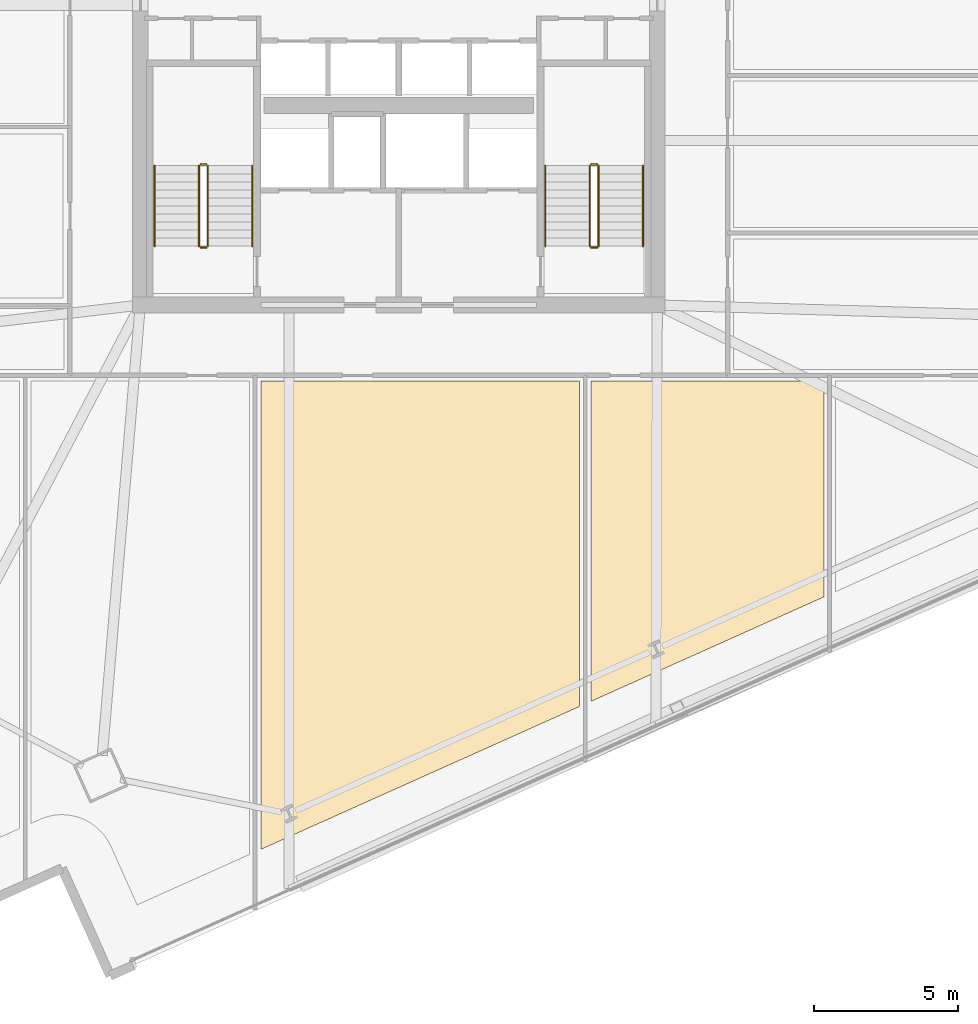
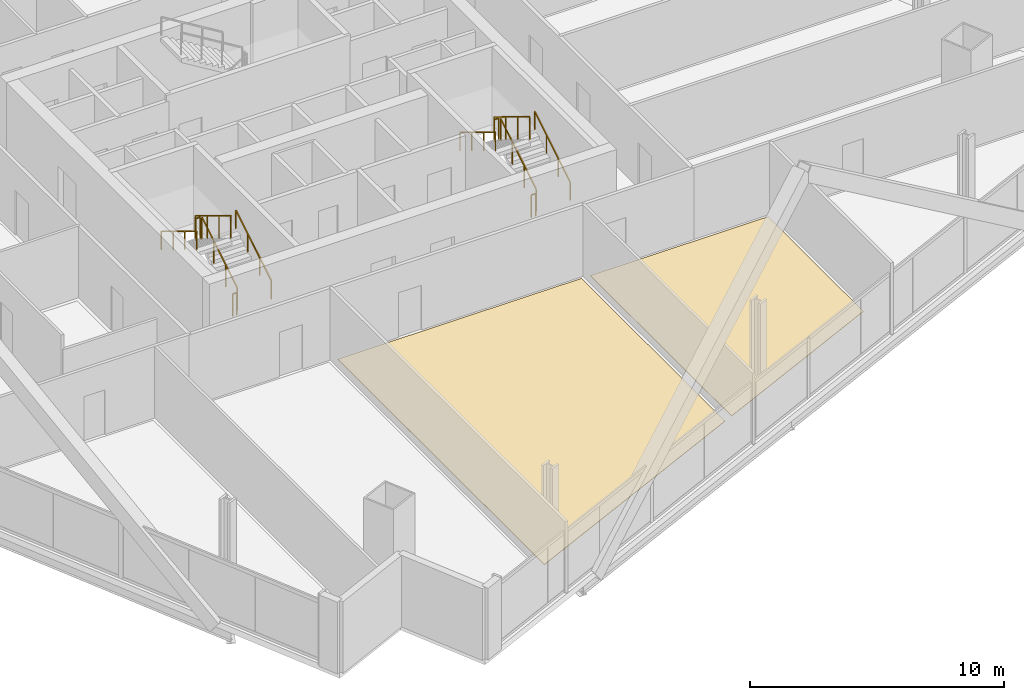
# One storey, part 33 of 38: 12 railings, 2 coverings.
"""IFC4 building model written with IfcOpenShell, lengths in metres."""

from ifc_helpers import new_model, si_unit, direction, frame, origin, origin_2d, place, context, subcontext, project, spatial, polyline, rectangle, outline, extrude, material, layer, layer_set, type_object, element, save


model = new_model("IFC4")

# Units and contexts
model_context = context("Model", 3, precision=1e-05, world=origin(), true_north=direction((0.0, 1.0)))
body_context = subcontext(model_context, "Body", "Model", "MODEL_VIEW")
ifc_project = project(units=[si_unit("LENGTHUNIT", "METRE"), si_unit("AREAUNIT", "SQUARE_METRE"), si_unit("VOLUMEUNIT", "CUBIC_METRE"), si_unit("PLANEANGLEUNIT", "RADIAN"), si_unit("MASSUNIT", "GRAM", prefix="KILO")], contexts=[model_context])

# Site, building, storey
site_placement = place(None, origin())
site = spatial("IfcSite", under=ifc_project, at=site_placement, CompositionType="ELEMENT")
building_placement = place(site_placement, origin())
building = spatial("IfcBuilding", under=site, at=building_placement, Name="Haldenkirk Collegiate Tower", CompositionType="ELEMENT")
storey_placement = place(building_placement, frame((0.0, 0.0, 109.199951171875)))
storey = spatial("IfcBuildingStorey", under=building, at=storey_placement, Name="L26", CompositionType="ELEMENT", Elevation=109.199951171875)

# Coverings
ifc_material_1 = material(Name="Polished collegiate terrazzo", Category="concrete")
ifc_layer_1 = layer(ifc_material_1, 0.02490234375)
ifc_layer_set_1 = layer_set([ifc_layer_1], Name="Polished collegiate terrazzo")
covering_type_1 = type_object("IfcCoveringType", Name="COV-FLOOR-TERRAZZO", PredefinedType="FLOORING", material=ifc_layer_set_1)
covering_1_placement = place(storey_placement, origin())
element("IfcCovering", 1, at=covering_1_placement, inside=storey, type_object=covering_type_1, Name="L26 academic room finish 04", PredefinedType="FLOORING", context=body_context, shape_type="SweptSolid", body=[
    extrude(outline(polyline([(31.199951171875, -0.952880859375), (31.199951171875, 15.35009765625), (42.300048828125, 15.35009765625), (42.300048828125, 4.024169921875), (31.199951171875, -0.952880859375)])), origin(), (0.0, 0.0, 1.0), 0.025146484375),
])
ifc_material_2 = material(Name="Engineered collegiate oak acoustic flooring", Category="wood")
ifc_layer_2 = layer(ifc_material_2, 0.02197265625)
ifc_layer_set_2 = layer_set([ifc_layer_2], Name="Engineered collegiate oak acoustic flooring")
covering_type_2 = type_object("IfcCoveringType", Name="COV-FLOOR-TIMBER", PredefinedType="FLOORING", material=ifc_layer_set_2)
covering_2_placement = place(storey_placement, origin())
element("IfcCovering", 2, at=covering_2_placement, inside=storey, type_object=covering_type_2, Name="L26 academic room finish 05", PredefinedType="FLOORING", context=body_context, shape_type="SweptSolid", body=[
    extrude(outline(polyline([(42.699951171875, 4.203369140625), (42.699951171875, 15.35009765625), (50.800048828125, 15.35009765625), (50.800048828125, 7.835205078125), (42.699951171875, 4.203369140625)])), origin(), (0.0, 0.0, 1.0), 0.02197265625),
])

# Railings
ifc_material_3 = material(Name="Painted architectural tubular steel", Category="steel")
railing_type_1 = type_object("IfcRailingType", Name="RLG-STAIR-GUARD-1100", PredefinedType="BALUSTRADE", material=ifc_material_3)
railing_1_placement = place(storey_placement, frame((29.35009765625, 20.050048828125, 0.17041015625)))
element("IfcRailing", 3, at=railing_1_placement, inside=storey, type_object=railing_type_1, Name="L26 ST-1 stair guard 1", PredefinedType="BALUSTRADE", context=body_context, shape_type="SweptSolid", body=[
    extrude(rectangle(XDim=0.048095703125, YDim=0.048095703125, at=origin_2d()), frame((0.0, 0.0, 1.076171875), z_axis=(0.0, 0.854169791009, 0.51999420009), x_axis=(-1.0, 0.0, 0.0)), (0.0, 0.0, 1.0), 3.278076171875),
    extrude(rectangle(XDim=0.0419921875, YDim=0.0419921875, at=origin_2d()), origin(), (0.0, 0.0, 1.0), 1.052001953125),
    extrude(rectangle(XDim=0.0419921875, YDim=0.0419921875, at=origin_2d()), frame((0.0, 0.933349609375, 0.568115234375)), (0.0, 0.0, 1.0), 1.052001953125),
    extrude(rectangle(XDim=0.0419921875, YDim=0.0419921875, at=origin_2d()), frame((0.0, 1.86669921875, 1.136474609375)), (0.0, 0.0, 1.0), 1.052001953125),
    extrude(rectangle(XDim=0.0419921875, YDim=0.0419921875, at=origin_2d()), frame((0.0, 2.800048828125, 1.70458984375)), (0.0, 0.0, 1.0), 1.052001953125),
])
railing_2_placement = place(storey_placement, frame((29.300048828125, 22.89990234375, 1.875)))
element("IfcRailing", 4, at=railing_2_placement, inside=storey, type_object=railing_type_1, Name="L26 ST-1 stair guard 2", PredefinedType="BALUSTRADE", context=body_context, shape_type="SweptSolid", body=[
    extrude(rectangle(XDim=0.048095703125, YDim=0.048095703125, at=origin_2d()), frame((0.0, 0.0, 1.076171875), z_axis=(-1.0, 0.0, 0.0), x_axis=(0.0, -1.0, 0.0)), (0.0, 0.0, 1.0), 0.199951171875),
    extrude(rectangle(XDim=0.0419921875, YDim=0.0419921875, at=origin_2d()), origin(), (0.0, 0.0, 1.0), 1.052001953125),
    extrude(rectangle(XDim=0.0419921875, YDim=0.0419921875, at=origin_2d()), frame((-0.199951171875, 0.0, 0.0)), (0.0, 0.0, 1.0), 1.052001953125),
])
railing_3_placement = place(storey_placement, frame((29.050048828125, 22.85009765625, 2.04541015625)))
element("IfcRailing", 5, at=railing_3_placement, inside=storey, type_object=railing_type_1, Name="L26 ST-1 stair guard 3", PredefinedType="BALUSTRADE", context=body_context, shape_type="SweptSolid", body=[
    extrude(rectangle(XDim=0.048095703125, YDim=0.048095703125, at=origin_2d()), frame((0.0, 0.0, 1.076171875), z_axis=(0.0, -0.854169791009, 0.51999420009), x_axis=(1.0, 0.0, 0.0)), (0.0, 0.0, 1.0), 3.278076171875),
    extrude(rectangle(XDim=0.0419921875, YDim=0.0419921875, at=origin_2d()), origin(), (0.0, 0.0, 1.0), 1.052001953125),
    extrude(rectangle(XDim=0.0419921875, YDim=0.0419921875, at=origin_2d()), frame((0.0, -0.933349609375, 0.568115234375)), (0.0, 0.0, 1.0), 1.052001953125),
    extrude(rectangle(XDim=0.0419921875, YDim=0.0419921875, at=origin_2d()), frame((0.0, -1.86669921875, 1.136474609375)), (0.0, 0.0, 1.0), 1.052001953125),
    extrude(rectangle(XDim=0.0419921875, YDim=0.0419921875, at=origin_2d()), frame((0.0, -2.800048828125, 1.70458984375)), (0.0, 0.0, 1.0), 1.052001953125),
])
railing_4_placement = place(storey_placement, frame((29.300048828125, 20.0, 0.0)))
element("IfcRailing", 6, at=railing_4_placement, inside=storey, type_object=railing_type_1, Name="L26 ST-1 stair guard 4", PredefinedType="BALUSTRADE", context=body_context, shape_type="SweptSolid", body=[
    extrude(rectangle(XDim=0.048095703125, YDim=0.048095703125, at=origin_2d()), frame((0.0, 0.0, 1.076171875), z_axis=(-1.0, 0.0, 0.0), x_axis=(0.0, -1.0, 0.0)), (0.0, 0.0, 1.0), 0.199951171875),
    extrude(rectangle(XDim=0.0419921875, YDim=0.0419921875, at=origin_2d()), origin(), (0.0, 0.0, 1.0), 1.052001953125),
    extrude(rectangle(XDim=0.0419921875, YDim=0.0419921875, at=origin_2d()), frame((-0.199951171875, 0.0, 0.0)), (0.0, 0.0, 1.0), 1.052001953125),
])
railing_5_placement = place(storey_placement, frame((42.949951171875, 20.050048828125, 0.17041015625)))
element("IfcRailing", 7, at=railing_5_placement, inside=storey, type_object=railing_type_1, Name="L26 ST-2 stair guard 1", PredefinedType="BALUSTRADE", context=body_context, shape_type="SweptSolid", body=[
    extrude(rectangle(XDim=0.048095703125, YDim=0.048095703125, at=origin_2d()), frame((0.0, 0.0, 1.076171875), z_axis=(0.0, 0.854169791009, 0.51999420009), x_axis=(-1.0, 0.0, 0.0)), (0.0, 0.0, 1.0), 3.278076171875),
    extrude(rectangle(XDim=0.0419921875, YDim=0.0419921875, at=origin_2d()), origin(), (0.0, 0.0, 1.0), 1.052001953125),
    extrude(rectangle(XDim=0.0419921875, YDim=0.0419921875, at=origin_2d()), frame((0.0, 0.933349609375, 0.568115234375)), (0.0, 0.0, 1.0), 1.052001953125),
    extrude(rectangle(XDim=0.0419921875, YDim=0.0419921875, at=origin_2d()), frame((0.0, 1.86669921875, 1.136474609375)), (0.0, 0.0, 1.0), 1.052001953125),
    extrude(rectangle(XDim=0.0419921875, YDim=0.0419921875, at=origin_2d()), frame((0.0, 2.800048828125, 1.70458984375)), (0.0, 0.0, 1.0), 1.052001953125),
])
railing_6_placement = place(storey_placement, frame((42.89990234375, 22.89990234375, 1.875)))
element("IfcRailing", 8, at=railing_6_placement, inside=storey, type_object=railing_type_1, Name="L26 ST-2 stair guard 2", PredefinedType="BALUSTRADE", context=body_context, shape_type="SweptSolid", body=[
    extrude(rectangle(XDim=0.048095703125, YDim=0.048095703125, at=origin_2d()), frame((0.0, 0.0, 1.076171875), z_axis=(-1.0, 0.0, 0.0), x_axis=(0.0, -1.0, 0.0)), (0.0, 0.0, 1.0), 0.199951171875),
    extrude(rectangle(XDim=0.0419921875, YDim=0.0419921875, at=origin_2d()), origin(), (0.0, 0.0, 1.0), 1.052001953125),
    extrude(rectangle(XDim=0.0419921875, YDim=0.0419921875, at=origin_2d()), frame((-0.199951171875, 0.0, 0.0)), (0.0, 0.0, 1.0), 1.052001953125),
])
railing_7_placement = place(storey_placement, frame((42.64990234375, 22.85009765625, 2.04541015625)))
element("IfcRailing", 9, at=railing_7_placement, inside=storey, type_object=railing_type_1, Name="L26 ST-2 stair guard 3", PredefinedType="BALUSTRADE", context=body_context, shape_type="SweptSolid", body=[
    extrude(rectangle(XDim=0.048095703125, YDim=0.048095703125, at=origin_2d()), frame((0.0, 0.0, 1.076171875), z_axis=(0.0, -0.854169791009, 0.51999420009), x_axis=(1.0, 0.0, 0.0)), (0.0, 0.0, 1.0), 3.278076171875),
    extrude(rectangle(XDim=0.0419921875, YDim=0.0419921875, at=origin_2d()), origin(), (0.0, 0.0, 1.0), 1.052001953125),
    extrude(rectangle(XDim=0.0419921875, YDim=0.0419921875, at=origin_2d()), frame((0.0, -0.933349609375, 0.568115234375)), (0.0, 0.0, 1.0), 1.052001953125),
    extrude(rectangle(XDim=0.0419921875, YDim=0.0419921875, at=origin_2d()), frame((0.0, -1.86669921875, 1.136474609375)), (0.0, 0.0, 1.0), 1.052001953125),
    extrude(rectangle(XDim=0.0419921875, YDim=0.0419921875, at=origin_2d()), frame((0.0, -2.800048828125, 1.70458984375)), (0.0, 0.0, 1.0), 1.052001953125),
])
railing_8_placement = place(storey_placement, frame((42.89990234375, 20.0, 0.0)))
element("IfcRailing", 10, at=railing_8_placement, inside=storey, type_object=railing_type_1, Name="L26 ST-2 stair guard 4", PredefinedType="BALUSTRADE", context=body_context, shape_type="SweptSolid", body=[
    extrude(rectangle(XDim=0.048095703125, YDim=0.048095703125, at=origin_2d()), frame((0.0, 0.0, 1.076171875), z_axis=(-1.0, 0.0, 0.0), x_axis=(0.0, -1.0, 0.0)), (0.0, 0.0, 1.0), 0.199951171875),
    extrude(rectangle(XDim=0.0419921875, YDim=0.0419921875, at=origin_2d()), origin(), (0.0, 0.0, 1.0), 1.052001953125),
    extrude(rectangle(XDim=0.0419921875, YDim=0.0419921875, at=origin_2d()), frame((-0.199951171875, 0.0, 0.0)), (0.0, 0.0, 1.0), 1.052001953125),
])
railing_type_2 = type_object("IfcRailingType", Name="RLG-STAIR-HANDRAIL-900", PredefinedType="HANDRAIL", material=ifc_material_3)
railing_9_placement = place(storey_placement, frame((30.89990234375, 20.050048828125, 0.17041015625)))
element("IfcRailing", 11, at=railing_9_placement, inside=storey, type_object=railing_type_2, Name="L26 ST-1 stair handrail 1", PredefinedType="HANDRAIL", context=body_context, shape_type="SweptSolid", body=[
    extrude(rectangle(XDim=0.048095703125, YDim=0.048095703125, at=origin_2d()), frame((0.0, 0.0, 0.8759765625), z_axis=(0.0, 0.854169791009, 0.51999420009), x_axis=(-1.0, 0.0, 0.0)), (0.0, 0.0, 1.0), 3.278076171875),
    extrude(rectangle(XDim=0.0419921875, YDim=0.0419921875, at=origin_2d()), origin(), (0.0, 0.0, 1.0), 0.851806640625),
    extrude(rectangle(XDim=0.0419921875, YDim=0.0419921875, at=origin_2d()), frame((0.0, 0.933349609375, 0.568115234375)), (0.0, 0.0, 1.0), 0.851806640625),
    extrude(rectangle(XDim=0.0419921875, YDim=0.0419921875, at=origin_2d()), frame((0.0, 1.86669921875, 1.136474609375)), (0.0, 0.0, 1.0), 0.851806640625),
    extrude(rectangle(XDim=0.0419921875, YDim=0.0419921875, at=origin_2d()), frame((0.0, 2.800048828125, 1.70458984375)), (0.0, 0.0, 1.0), 0.851806640625),
])
railing_10_placement = place(storey_placement, frame((27.5, 22.85009765625, 2.04541015625)))
element("IfcRailing", 12, at=railing_10_placement, inside=storey, type_object=railing_type_2, Name="L26 ST-1 stair handrail 2", PredefinedType="HANDRAIL", context=body_context, shape_type="SweptSolid", body=[
    extrude(rectangle(XDim=0.048095703125, YDim=0.048095703125, at=origin_2d()), frame((0.0, 0.0, 0.8759765625), z_axis=(0.0, -0.854169791009, 0.51999420009), x_axis=(1.0, 0.0, 0.0)), (0.0, 0.0, 1.0), 3.278076171875),
    extrude(rectangle(XDim=0.0419921875, YDim=0.0419921875, at=origin_2d()), origin(), (0.0, 0.0, 1.0), 0.851806640625),
    extrude(rectangle(XDim=0.0419921875, YDim=0.0419921875, at=origin_2d()), frame((0.0, -0.933349609375, 0.568115234375)), (0.0, 0.0, 1.0), 0.851806640625),
    extrude(rectangle(XDim=0.0419921875, YDim=0.0419921875, at=origin_2d()), frame((0.0, -1.86669921875, 1.136474609375)), (0.0, 0.0, 1.0), 0.851806640625),
    extrude(rectangle(XDim=0.0419921875, YDim=0.0419921875, at=origin_2d()), frame((0.0, -2.800048828125, 1.70458984375)), (0.0, 0.0, 1.0), 0.851806640625),
])
railing_11_placement = place(storey_placement, frame((44.5, 20.050048828125, 0.17041015625)))
element("IfcRailing", 13, at=railing_11_placement, inside=storey, type_object=railing_type_2, Name="L26 ST-2 stair handrail 1", PredefinedType="HANDRAIL", context=body_context, shape_type="SweptSolid", body=[
    extrude(rectangle(XDim=0.048095703125, YDim=0.048095703125, at=origin_2d()), frame((0.0, 0.0, 0.8759765625), z_axis=(0.0, 0.854169791009, 0.51999420009), x_axis=(-1.0, 0.0, 0.0)), (0.0, 0.0, 1.0), 3.278076171875),
    extrude(rectangle(XDim=0.0419921875, YDim=0.0419921875, at=origin_2d()), origin(), (0.0, 0.0, 1.0), 0.851806640625),
    extrude(rectangle(XDim=0.0419921875, YDim=0.0419921875, at=origin_2d()), frame((0.0, 0.933349609375, 0.568115234375)), (0.0, 0.0, 1.0), 0.851806640625),
    extrude(rectangle(XDim=0.0419921875, YDim=0.0419921875, at=origin_2d()), frame((0.0, 1.86669921875, 1.136474609375)), (0.0, 0.0, 1.0), 0.851806640625),
    extrude(rectangle(XDim=0.0419921875, YDim=0.0419921875, at=origin_2d()), frame((0.0, 2.800048828125, 1.70458984375)), (0.0, 0.0, 1.0), 0.851806640625),
])
railing_12_placement = place(storey_placement, frame((41.10009765625, 22.85009765625, 2.04541015625)))
element("IfcRailing", 14, at=railing_12_placement, inside=storey, type_object=railing_type_2, Name="L26 ST-2 stair handrail 2", PredefinedType="HANDRAIL", context=body_context, shape_type="SweptSolid", body=[
    extrude(rectangle(XDim=0.048095703125, YDim=0.048095703125, at=origin_2d()), frame((0.0, 0.0, 0.8759765625), z_axis=(0.0, -0.854169791009, 0.51999420009), x_axis=(1.0, 0.0, 0.0)), (0.0, 0.0, 1.0), 3.278076171875),
    extrude(rectangle(XDim=0.0419921875, YDim=0.0419921875, at=origin_2d()), origin(), (0.0, 0.0, 1.0), 0.851806640625),
    extrude(rectangle(XDim=0.0419921875, YDim=0.0419921875, at=origin_2d()), frame((0.0, -0.933349609375, 0.568115234375)), (0.0, 0.0, 1.0), 0.851806640625),
    extrude(rectangle(XDim=0.0419921875, YDim=0.0419921875, at=origin_2d()), frame((0.0, -1.86669921875, 1.136474609375)), (0.0, 0.0, 1.0), 0.851806640625),
    extrude(rectangle(XDim=0.0419921875, YDim=0.0419921875, at=origin_2d()), frame((0.0, -2.800048828125, 1.70458984375)), (0.0, 0.0, 1.0), 0.851806640625),
])

save(model, "model.ifc")
